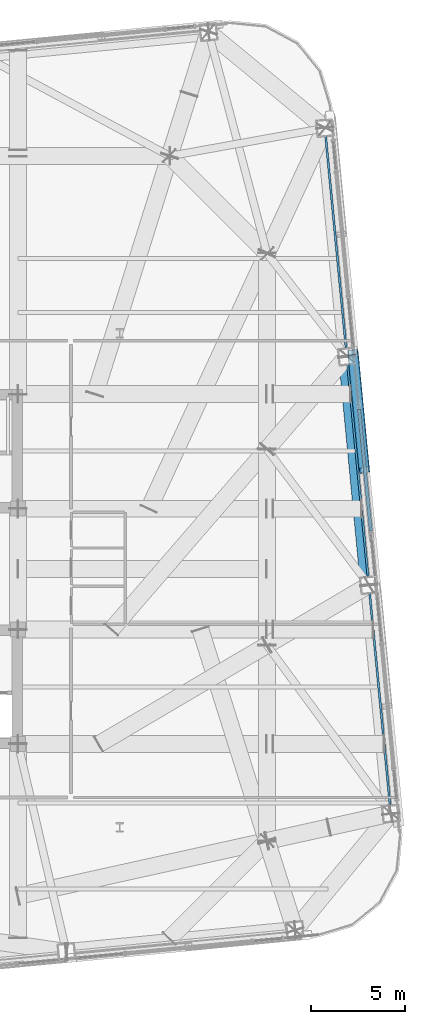
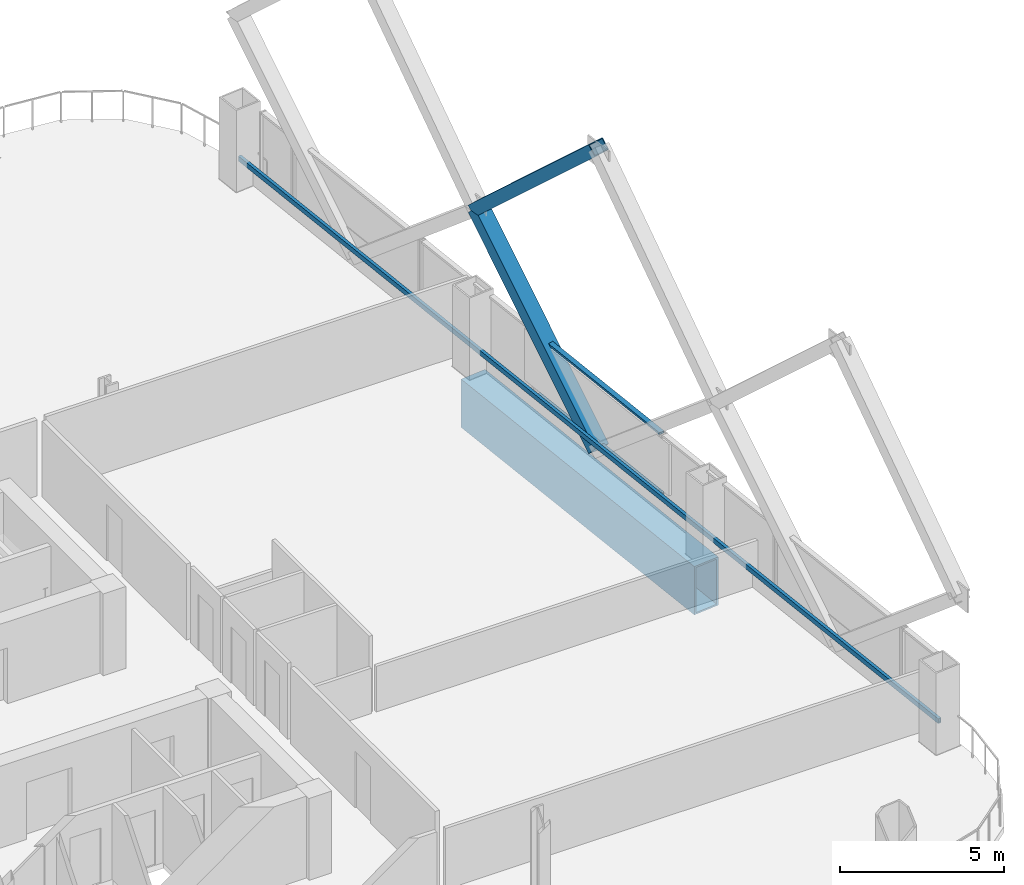
# One storey, part 21 of 42: 5 members, 1 beam, 1 element without a shape of its own.
"""IFC4 building model written with IfcOpenShell, lengths in metres."""

from ifc_helpers import new_model, si_unit, direction, frame, origin, origin_2d, place, context, subcontext, project, spatial, hollow_rectangle, extrude, material, layer, layer_set, material_profile, profile_set, type_object, element, aggregate, save


model = new_model("IFC4")

# Units and contexts
model_context = context("Model", 3, precision=1e-05, world=origin(), true_north=direction((0.0, 1.0)))
body_context = subcontext(model_context, "Body", "Model", "MODEL_VIEW")
ifc_project = project(units=[si_unit("LENGTHUNIT", "METRE"), si_unit("AREAUNIT", "SQUARE_METRE"), si_unit("VOLUMEUNIT", "CUBIC_METRE"), si_unit("PLANEANGLEUNIT", "RADIAN"), si_unit("MASSUNIT", "GRAM", prefix="KILO")], contexts=[model_context])

# Site, building, storey
site_placement = place(None, origin())
site = spatial("IfcSite", under=ifc_project, at=site_placement, CompositionType="ELEMENT")
building_placement = place(site_placement, origin())
building = spatial("IfcBuilding", under=site, at=building_placement, Name="Qhalaya Broadcast Tower", CompositionType="ELEMENT")
storey_placement = place(building_placement, frame((0.0, 0.0, 69.449951171875)))
storey = spatial("IfcBuildingStorey", under=building, at=storey_placement, Name="L19", CompositionType="ELEMENT", Elevation=69.449951171875)

# Beam
ifc_material_1 = material(Name="Structural Steel ASTM A572 Grade 50", Category="steel")
ifc_material_profile_1 = material_profile(ifc_material_1, hollow_rectangle(XDim=0.89990234375, YDim=1.800048828125, WallThickness=0.06005859375, at=origin_2d()), Name="BOX 900x1800x60")
ifc_profile_set_1 = profile_set([ifc_material_profile_1], Name="Structural Steel ASTM A572 Grade 50")
beam_type = type_object("IfcBeamType", Name="Block Cantilever Transfer Box Girder TG1", PredefinedType="USERDEFINED", material=ifc_profile_set_1)
beam_placement = place(storey_placement, frame((28.116943359375, -0.255126953125, -1.119873046875), z_axis=(-0.095851586307, 0.99539563662, 0.0), x_axis=(-0.99539563662, -0.095851586307, 0.0)))
element("IfcBeam", 1, at=beam_placement, inside=storey, type_object=beam_type, Name="L19 TG1 L19-SPR-06", ObjectType="GIRDER", PredefinedType="USERDEFINED", context=body_context, shape_type="SweptSolid", body=[
    extrude(hollow_rectangle(XDim=0.89990234375, YDim=1.800048828125, WallThickness=0.06005859375, at=origin_2d()), origin(), (0.0, 0.0, 1.0), 12.2666015625),
])

# Members
ifc_material_profile_2 = material_profile(ifc_material_1, hollow_rectangle(XDim=0.419921875, YDim=0.550048828125, WallThickness=0.028076171875, at=origin_2d()), Name="BOX 420x550x28")
ifc_profile_set_2 = profile_set([ifc_material_profile_2], Name="Structural Steel ASTM A572 Grade 50")
member_type_1 = type_object("IfcMemberType", Name="Exoskeleton Diamond Diagonal Mid-Low EX2", PredefinedType="BRACE", material=ifc_profile_set_2)
member_1_placement = place(storey_placement, frame((27.867431640625, 5.882568359375, 0.360107421875), z_axis=(-0.07303904182, 0.758624738066, 0.647420887186), x_axis=(0.157164580548, -0.632288692036, 0.758623954634)))
element("IfcMember", 2, at=member_1_placement, inside=storey, type_object=member_type_1, Name="B2 Exoskeleton Diamond Brace E2-D2", PredefinedType="BRACE", context=body_context, shape_type="SweptSolid", body=[
    extrude(hollow_rectangle(XDim=0.419921875, YDim=0.550048828125, WallThickness=0.028076171875, at=origin_2d()), origin(), (0.0, 0.0, 1.0), 8.309814453125),
])
member_2_placement = place(storey_placement, frame((27.260498046875, 12.1865234375, 5.739990234375), z_axis=(0.070341482536, -0.730606363857, 0.679165971561), x_axis=(-0.160192867019, 0.663742185587, 0.73060560936)))
element("IfcMember", 3, at=member_2_placement, inside=storey, type_object=member_type_1, Name="B2 Exoskeleton Diamond Brace E2-D4", PredefinedType="BRACE", context=body_context, shape_type="SweptSolid", body=[
    extrude(hollow_rectangle(XDim=0.419921875, YDim=0.550048828125, WallThickness=0.028076171875, at=origin_2d()), origin(), (0.0, 0.0, 1.0), 8.62841796875),
])
ifc_material_2 = material(Name="Fired Architectural Terracotta", Category="masonry")
ifc_material_profile_3 = material_profile(ifc_material_2, hollow_rectangle(XDim=0.110107421875, YDim=0.179931640625, WallThickness=0.01806640625, at=origin_2d()), Name="TB-BAG 110x180x18")
ifc_profile_set_3 = profile_set([ifc_material_profile_3], Name="Fired Architectural Terracotta")
member_type_2 = type_object("IfcMemberType", Name="Fired Terracotta Facade Baguette Member TB1", PredefinedType="USERDEFINED", material=ifc_profile_set_3)
member_3_placement = place(storey_placement, frame((29.29248046875, -12.46533203125, 0.84912109375), z_axis=(-0.095845013007, 0.995396269574, 0.0), x_axis=(-0.995396269574, -0.095845013007, 0.0)))
element("IfcMember", 4, at=member_3_placement, inside=storey, type_object=member_type_2, Name="L19 Terracotta Baguette Feature Rail E", ObjectType="BAGUETTE", PredefinedType="USERDEFINED", context=body_context, shape_type="SweptSolid", body=[
    extrude(hollow_rectangle(XDim=0.110107421875, YDim=0.179931640625, WallThickness=0.01806640625, at=origin_2d()), origin(), (0.0, 0.0, 1.0), 36.800048828125),
])

# Curtain wall, members
ifc_layer = layer(ifc_material_2, 0.219970703125, Name="Fired Architectural Terracotta")
ifc_layer_set = layer_set([ifc_layer], Name="Fired Architectural Terracotta")
curtain_wall_type = type_object("IfcCurtainWallType", Name="Block-Cap Unitised Terracotta Spandrel Wall CW-07", PredefinedType="NOTDEFINED", material=ifc_layer_set)
curtain_wall_placement = place(storey_placement, origin())
curtain_wall = element("IfcCurtainWall", 5, at=curtain_wall_placement, inside=storey, type_object=curtain_wall_type, Name="L19 Unitised Curtain Wall L19-CW-E4", PredefinedType="NOTDEFINED")
ifc_material_3 = material(Name="Anodised Aluminium 6063-T6", Category="aluminium")
ifc_material_profile_4 = material_profile(ifc_material_3, hollow_rectangle(XDim=0.074951171875, YDim=0.179931640625, WallThickness=0.00390625, at=origin_2d()), Name="ALU-TRN 75x180x4")
ifc_profile_set_4 = profile_set([ifc_material_profile_4], Name="Anodised Aluminium 6063-T6")
member_type_3 = type_object("IfcMemberType", Name="Unitised Curtain-Wall Transom T01", PredefinedType="USERDEFINED", material=ifc_profile_set_4)
member_4_placement = place(storey_placement, frame((28.219482421875, 2.645263671875, 0.517578125), z_axis=(-0.095865283241, 0.995394317579, 0.0), x_axis=(0.0, 0.0, 1.0)))
member_4 = element("IfcMember", 6, at=member_4_placement, type_object=member_type_3, Name="CW-07 transom 1.1", ObjectType="TRANSOM", PredefinedType="USERDEFINED", context=body_context, shape_type="SweptSolid", body=[
    extrude(hollow_rectangle(XDim=0.074951171875, YDim=0.179931640625, WallThickness=0.00390625, at=origin_2d()), origin(), (0.0, 0.0, 1.0), 6.511962890625),
])
member_5_placement = place(storey_placement, frame((28.219482421875, 2.645263671875, 2.79248046875), z_axis=(-0.095865283241, 0.995394317579, 0.0), x_axis=(0.0, 0.0, 1.0)))
member_5 = element("IfcMember", 7, at=member_5_placement, type_object=member_type_3, Name="CW-07 transom 1.2", ObjectType="TRANSOM", PredefinedType="USERDEFINED", context=body_context, shape_type="SweptSolid", body=[
    extrude(hollow_rectangle(XDim=0.074951171875, YDim=0.179931640625, WallThickness=0.00390625, at=origin_2d()), origin(), (0.0, 0.0, 1.0), 6.511962890625),
])
aggregate(curtain_wall, [member_4, member_5])

save(model, "model.ifc")
